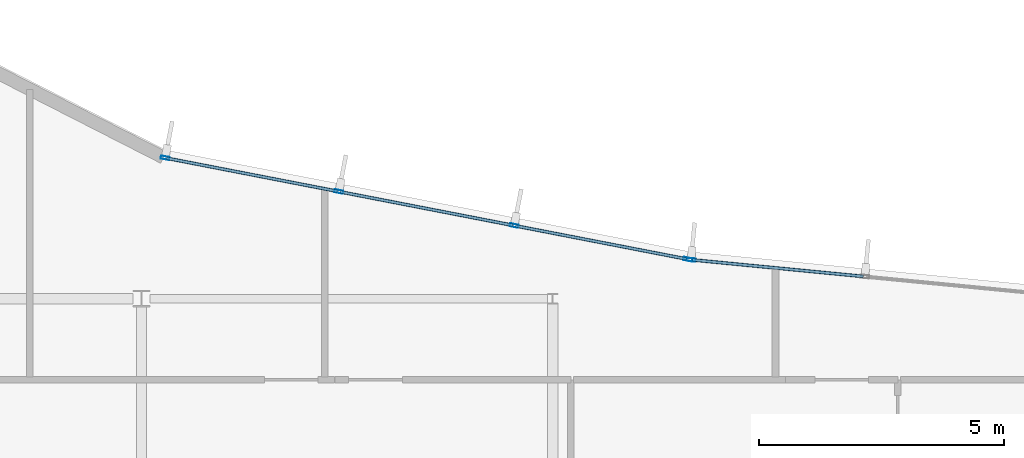
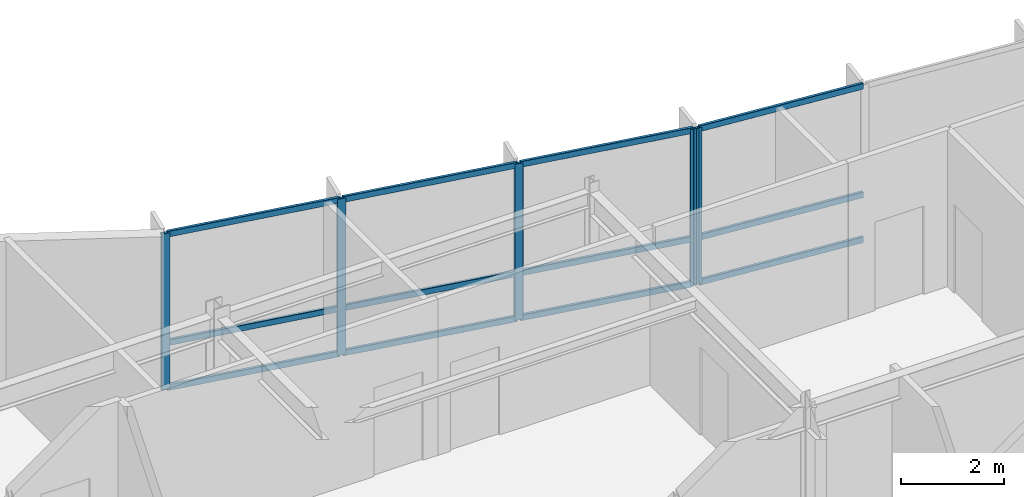
# One storey, part 6 of 16: 17 members, 2 elements without a shape of their own.
"""IFC4 building model written with IfcOpenShell, lengths in metres."""

from ifc_helpers import new_model, si_unit, direction, frame, origin, origin_2d, place, context, subcontext, project, spatial, hollow_rectangle, extrude, material, layer, layer_set, material_profile, profile_set, type_object, element, aggregate, save


model = new_model("IFC4")

# Units and contexts
model_context = context("Model", 3, precision=1e-05, world=origin(), true_north=direction((0.0, 1.0)))
body_context = subcontext(model_context, "Body", "Model", "MODEL_VIEW")
ifc_project = project(units=[si_unit("LENGTHUNIT", "METRE"), si_unit("AREAUNIT", "SQUARE_METRE"), si_unit("VOLUMEUNIT", "CUBIC_METRE"), si_unit("PLANEANGLEUNIT", "RADIAN"), si_unit("MASSUNIT", "GRAM", prefix="KILO")], contexts=[model_context])

# Site, building, storey
site_placement = place(None, origin())
site = spatial("IfcSite", under=ifc_project, at=site_placement, CompositionType="ELEMENT")
building_placement = place(site_placement, origin())
building = spatial("IfcBuilding", under=site, at=building_placement, Name="Varnakote Quay Hospital", CompositionType="ELEMENT")
storey_placement = place(building_placement, frame((0.0, 0.0, 280.25)))
storey = spatial("IfcBuildingStorey", under=building, at=storey_placement, Name="L69", CompositionType="ELEMENT", Elevation=280.25)

# Curtain wall, member
ifc_material_1 = material(Name="Anodised aluminium 6063-T6 Bronze", Category="aluminium")
ifc_layer = layer(ifc_material_1, 0.235107421875)
ifc_layer_set = layer_set([ifc_layer], Name="Anodised aluminium 6063-T6 Bronze")
curtain_wall_type = type_object("IfcCurtainWallType", Name="CW-SYS-5", PredefinedType="NOTDEFINED", material=ifc_layer_set)
curtain_wall_1_placement = place(storey_placement, origin())
curtain_wall_1 = element("IfcCurtainWall", 1, at=curtain_wall_1_placement, inside=storey, type_object=curtain_wall_type, Name="L69 Unitised Bronze Curtain Wall 1", PredefinedType="NOTDEFINED")
ifc_material_2 = material(Name="Anodised aluminium 6063-T6 Bronze", Category="aluminium")
ifc_material_profile_1 = material_profile(ifc_material_2, hollow_rectangle(XDim=0.06494140625, YDim=0.179931640625, WallThickness=0.00390625, InnerFilletRadius=0.00390625, OuterFilletRadius=0.008056640625, at=origin_2d()), Name="CW-MULL-180x65")
ifc_profile_set_1 = profile_set([ifc_material_profile_1], Name="Anodised aluminium 6063-T6 Bronze")
member_type_1 = type_object("IfcMemberType", Name="CW-MULL-180x65", PredefinedType="MULLION", material=ifc_profile_set_1)
member_1_placement = place(storey_placement, frame((28.025390625, 29.594482421875, 0.0), z_axis=(0.0, 0.0, 1.0), x_axis=(-0.096568970683, -0.995326295192, 0.0)))
member_1 = element("IfcMember", 2, at=member_1_placement, type_object=member_type_1, Name="-5-L69-1 mullion 4", PredefinedType="MULLION", context=body_context, shape_type="SweptSolid", body=[
    extrude(hollow_rectangle(XDim=0.06494140625, YDim=0.179931640625, WallThickness=0.00390625, InnerFilletRadius=0.00390625, OuterFilletRadius=0.008056640625, at=origin_2d()), origin(), (0.0, 0.0, 1.0), 3.7099609375),
])

# Curtain wall, members
curtain_wall_2_placement = place(storey_placement, origin())
curtain_wall_2 = element("IfcCurtainWall", 3, at=curtain_wall_2_placement, inside=storey, type_object=curtain_wall_type, Name="L69 Unitised Bronze Curtain Wall 2", PredefinedType="NOTDEFINED")
member_2_placement = place(storey_placement, frame((27.961181640625, 29.603759765625, 0.0), z_axis=(0.0, 0.0, 1.0), x_axis=(-0.190434218676, -0.981699958418, 0.0)))
member_2 = element("IfcMember", 4, at=member_2_placement, type_object=member_type_1, Name="-5-L69-2 mullion 1", PredefinedType="MULLION", context=body_context, shape_type="SweptSolid", body=[
    extrude(hollow_rectangle(XDim=0.06494140625, YDim=0.179931640625, WallThickness=0.00390625, InnerFilletRadius=0.00390625, OuterFilletRadius=0.008056640625, at=origin_2d()), origin(), (0.0, 0.0, 1.0), 3.7099609375),
])
member_3_placement = place(storey_placement, frame((24.412353515625, 30.2919921875, 0.0), z_axis=(0.0, 0.0, 1.0), x_axis=(-0.190434218676, -0.981699958418, 0.0)))
member_3 = element("IfcMember", 5, at=member_3_placement, type_object=member_type_1, Name="-5-L69-2 mullion 2", PredefinedType="MULLION", context=body_context, shape_type="SweptSolid", body=[
    extrude(hollow_rectangle(XDim=0.06494140625, YDim=0.179931640625, WallThickness=0.00390625, InnerFilletRadius=0.00390625, OuterFilletRadius=0.008056640625, at=origin_2d()), origin(), (0.0, 0.0, 1.0), 3.7099609375),
])
member_4_placement = place(storey_placement, frame((20.83203125, 30.986572265625, 0.0), z_axis=(0.0, 0.0, 1.0), x_axis=(-0.190434218676, -0.981699958418, 0.0)))
member_4 = element("IfcMember", 6, at=member_4_placement, type_object=member_type_1, Name="-5-L69-2 mullion 3", PredefinedType="MULLION", context=body_context, shape_type="SweptSolid", body=[
    extrude(hollow_rectangle(XDim=0.06494140625, YDim=0.179931640625, WallThickness=0.00390625, InnerFilletRadius=0.00390625, OuterFilletRadius=0.008056640625, at=origin_2d()), origin(), (0.0, 0.0, 1.0), 3.7099609375),
])
member_5_placement = place(storey_placement, frame((17.283203125, 31.675048828125, 0.0), z_axis=(0.0, 0.0, 1.0), x_axis=(-0.190434218676, -0.981699958418, 0.0)))
member_5 = element("IfcMember", 7, at=member_5_placement, type_object=member_type_1, Name="-5-L69-2 mullion 4", PredefinedType="MULLION", context=body_context, shape_type="SweptSolid", body=[
    extrude(hollow_rectangle(XDim=0.06494140625, YDim=0.179931640625, WallThickness=0.00390625, InnerFilletRadius=0.00390625, OuterFilletRadius=0.008056640625, at=origin_2d()), origin(), (0.0, 0.0, 1.0), 3.7099609375),
])

# Member
ifc_material_3 = material(Name="Anodised aluminium 6063-T6 Bronze", Category="aluminium")
ifc_material_profile_2 = material_profile(ifc_material_3, hollow_rectangle(XDim=0.06494140625, YDim=0.139892578125, WallThickness=0.00390625, InnerFilletRadius=0.00390625, OuterFilletRadius=0.007568359375, at=origin_2d()), Name="CW-TRAN-140x65")
ifc_profile_set_2 = profile_set([ifc_material_profile_2], Name="Anodised aluminium 6063-T6 Bronze")
member_type_2 = type_object("IfcMemberType", Name="CW-TRAN-140x65", PredefinedType="USERDEFINED", material=ifc_profile_set_2)
member_6_placement = place(storey_placement, frame((31.54296875, 29.253173828125, 0.032470703125), z_axis=(-0.995326912616, 0.096562606751, 0.0), x_axis=(-0.096562606751, -0.995326912616, 0.0)))
member_6 = element("IfcMember", 8, at=member_6_placement, type_object=member_type_2, Name="-5-L69-1 transom 3.1", ObjectType="TRANSOM", PredefinedType="USERDEFINED", context=body_context, shape_type="SweptSolid", body=[
    extrude(hollow_rectangle(XDim=0.06494140625, YDim=0.139892578125, WallThickness=0.00390625, InnerFilletRadius=0.00390625, OuterFilletRadius=0.007568359375, at=origin_2d()), origin(), (0.0, 0.0, 1.0), 3.501708984375),
])

member_7_placement = place(storey_placement, frame((31.54296875, 29.253173828125, 1.10009765625), z_axis=(-0.995326912616, 0.096562606751, 0.0), x_axis=(-0.096562606751, -0.995326912616, 0.0)))
member_7 = element("IfcMember", 9, at=member_7_placement, type_object=member_type_2, Name="-5-L69-1 transom 3.2", ObjectType="TRANSOM", PredefinedType="USERDEFINED", context=body_context, shape_type="SweptSolid", body=[
    extrude(hollow_rectangle(XDim=0.06494140625, YDim=0.139892578125, WallThickness=0.00390625, InnerFilletRadius=0.00390625, OuterFilletRadius=0.007568359375, at=origin_2d()), origin(), (0.0, 0.0, 1.0), 3.501708984375),
])

member_8_placement = place(storey_placement, frame((31.54296875, 29.253173828125, 3.677490234375), z_axis=(-0.995326912616, 0.096562606751, 0.0), x_axis=(-0.096562606751, -0.995326912616, 0.0)))
member_8 = element("IfcMember", 10, at=member_8_placement, type_object=member_type_2, Name="-5-L69-1 transom 3.3", ObjectType="TRANSOM", PredefinedType="USERDEFINED", context=body_context, shape_type="SweptSolid", body=[
    extrude(hollow_rectangle(XDim=0.06494140625, YDim=0.139892578125, WallThickness=0.00390625, InnerFilletRadius=0.00390625, OuterFilletRadius=0.007568359375, at=origin_2d()), origin(), (0.0, 0.0, 1.0), 3.501708984375),
])

aggregate(curtain_wall_1, [member_1, member_6, member_7, member_8])

member_9_placement = place(storey_placement, frame((27.92919921875, 29.60986328125, 0.032470703125), z_axis=(-0.98169905277, 0.190438887286, 0.0), x_axis=(-0.190438887286, -0.98169905277, 0.0)))
member_9 = element("IfcMember", 11, at=member_9_placement, type_object=member_type_2, Name="-5-L69-2 transom 1.1", ObjectType="TRANSOM", PredefinedType="USERDEFINED", context=body_context, shape_type="SweptSolid", body=[
    extrude(hollow_rectangle(XDim=0.06494140625, YDim=0.139892578125, WallThickness=0.00390625, InnerFilletRadius=0.00390625, OuterFilletRadius=0.007568359375, at=origin_2d()), origin(), (0.0, 0.0, 1.0), 3.5498046875),
])

member_10_placement = place(storey_placement, frame((27.92919921875, 29.60986328125, 1.10009765625), z_axis=(-0.98169905277, 0.190438887286, 0.0), x_axis=(-0.190438887286, -0.98169905277, 0.0)))
member_10 = element("IfcMember", 12, at=member_10_placement, type_object=member_type_2, Name="-5-L69-2 transom 1.2", ObjectType="TRANSOM", PredefinedType="USERDEFINED", context=body_context, shape_type="SweptSolid", body=[
    extrude(hollow_rectangle(XDim=0.06494140625, YDim=0.139892578125, WallThickness=0.00390625, InnerFilletRadius=0.00390625, OuterFilletRadius=0.007568359375, at=origin_2d()), origin(), (0.0, 0.0, 1.0), 3.5498046875),
])

member_11_placement = place(storey_placement, frame((27.92919921875, 29.60986328125, 3.677490234375), z_axis=(-0.98169905277, 0.190438887286, 0.0), x_axis=(-0.190438887286, -0.98169905277, 0.0)))
member_11 = element("IfcMember", 13, at=member_11_placement, type_object=member_type_2, Name="-5-L69-2 transom 1.3", ObjectType="TRANSOM", PredefinedType="USERDEFINED", context=body_context, shape_type="SweptSolid", body=[
    extrude(hollow_rectangle(XDim=0.06494140625, YDim=0.139892578125, WallThickness=0.00390625, InnerFilletRadius=0.00390625, OuterFilletRadius=0.007568359375, at=origin_2d()), origin(), (0.0, 0.0, 1.0), 3.5498046875),
])

member_12_placement = place(storey_placement, frame((24.380615234375, 30.29833984375, 0.032470703125), z_axis=(-0.981704308904, 0.190411790286, 0.0), x_axis=(-0.190411790286, -0.981704308904, 0.0)))
member_12 = element("IfcMember", 14, at=member_12_placement, type_object=member_type_2, Name="-5-L69-2 transom 2.1", ObjectType="TRANSOM", PredefinedType="USERDEFINED", context=body_context, shape_type="SweptSolid", body=[
    extrude(hollow_rectangle(XDim=0.06494140625, YDim=0.139892578125, WallThickness=0.00390625, InnerFilletRadius=0.00390625, OuterFilletRadius=0.007568359375, at=origin_2d()), origin(), (0.0, 0.0, 1.0), 3.582275390625),
])

member_13_placement = place(storey_placement, frame((24.380615234375, 30.29833984375, 1.10009765625), z_axis=(-0.981704308904, 0.190411790286, 0.0), x_axis=(-0.190411790286, -0.981704308904, 0.0)))
member_13 = element("IfcMember", 15, at=member_13_placement, type_object=member_type_2, Name="-5-L69-2 transom 2.2", ObjectType="TRANSOM", PredefinedType="USERDEFINED", context=body_context, shape_type="SweptSolid", body=[
    extrude(hollow_rectangle(XDim=0.06494140625, YDim=0.139892578125, WallThickness=0.00390625, InnerFilletRadius=0.00390625, OuterFilletRadius=0.007568359375, at=origin_2d()), origin(), (0.0, 0.0, 1.0), 3.582275390625),
])

member_14_placement = place(storey_placement, frame((24.380615234375, 30.29833984375, 3.677490234375), z_axis=(-0.981704308904, 0.190411790286, 0.0), x_axis=(-0.190411790286, -0.981704308904, 0.0)))
member_14 = element("IfcMember", 16, at=member_14_placement, type_object=member_type_2, Name="-5-L69-2 transom 2.3", ObjectType="TRANSOM", PredefinedType="USERDEFINED", context=body_context, shape_type="SweptSolid", body=[
    extrude(hollow_rectangle(XDim=0.06494140625, YDim=0.139892578125, WallThickness=0.00390625, InnerFilletRadius=0.00390625, OuterFilletRadius=0.007568359375, at=origin_2d()), origin(), (0.0, 0.0, 1.0), 3.582275390625),
])

member_15_placement = place(storey_placement, frame((20.800048828125, 30.992919921875, 0.032470703125), z_axis=(-0.981711908501, 0.190372604927, 0.0), x_axis=(-0.190372604927, -0.981711908501, 0.0)))
member_15 = element("IfcMember", 17, at=member_15_placement, type_object=member_type_2, Name="-5-L69-2 transom 3.1", ObjectType="TRANSOM", PredefinedType="USERDEFINED", context=body_context, shape_type="SweptSolid", body=[
    extrude(hollow_rectangle(XDim=0.06494140625, YDim=0.139892578125, WallThickness=0.00390625, InnerFilletRadius=0.00390625, OuterFilletRadius=0.007568359375, at=origin_2d()), origin(), (0.0, 0.0, 1.0), 3.5498046875),
])

member_16_placement = place(storey_placement, frame((20.800048828125, 30.992919921875, 1.10009765625), z_axis=(-0.981711908501, 0.190372604927, 0.0), x_axis=(-0.190372604927, -0.981711908501, 0.0)))
member_16 = element("IfcMember", 18, at=member_16_placement, type_object=member_type_2, Name="-5-L69-2 transom 3.2", ObjectType="TRANSOM", PredefinedType="USERDEFINED", context=body_context, shape_type="SweptSolid", body=[
    extrude(hollow_rectangle(XDim=0.06494140625, YDim=0.139892578125, WallThickness=0.00390625, InnerFilletRadius=0.00390625, OuterFilletRadius=0.007568359375, at=origin_2d()), origin(), (0.0, 0.0, 1.0), 3.5498046875),
])

member_17_placement = place(storey_placement, frame((20.800048828125, 30.992919921875, 3.677490234375), z_axis=(-0.981711908501, 0.190372604927, 0.0), x_axis=(-0.190372604927, -0.981711908501, 0.0)))
member_17 = element("IfcMember", 19, at=member_17_placement, type_object=member_type_2, Name="-5-L69-2 transom 3.3", ObjectType="TRANSOM", PredefinedType="USERDEFINED", context=body_context, shape_type="SweptSolid", body=[
    extrude(hollow_rectangle(XDim=0.06494140625, YDim=0.139892578125, WallThickness=0.00390625, InnerFilletRadius=0.00390625, OuterFilletRadius=0.007568359375, at=origin_2d()), origin(), (0.0, 0.0, 1.0), 3.5498046875),
])

aggregate(curtain_wall_2, [member_2, member_3, member_4, member_5, member_9, member_10, member_11, member_12, member_13, member_14, member_15, member_16, member_17])

save(model, "model.ifc")
